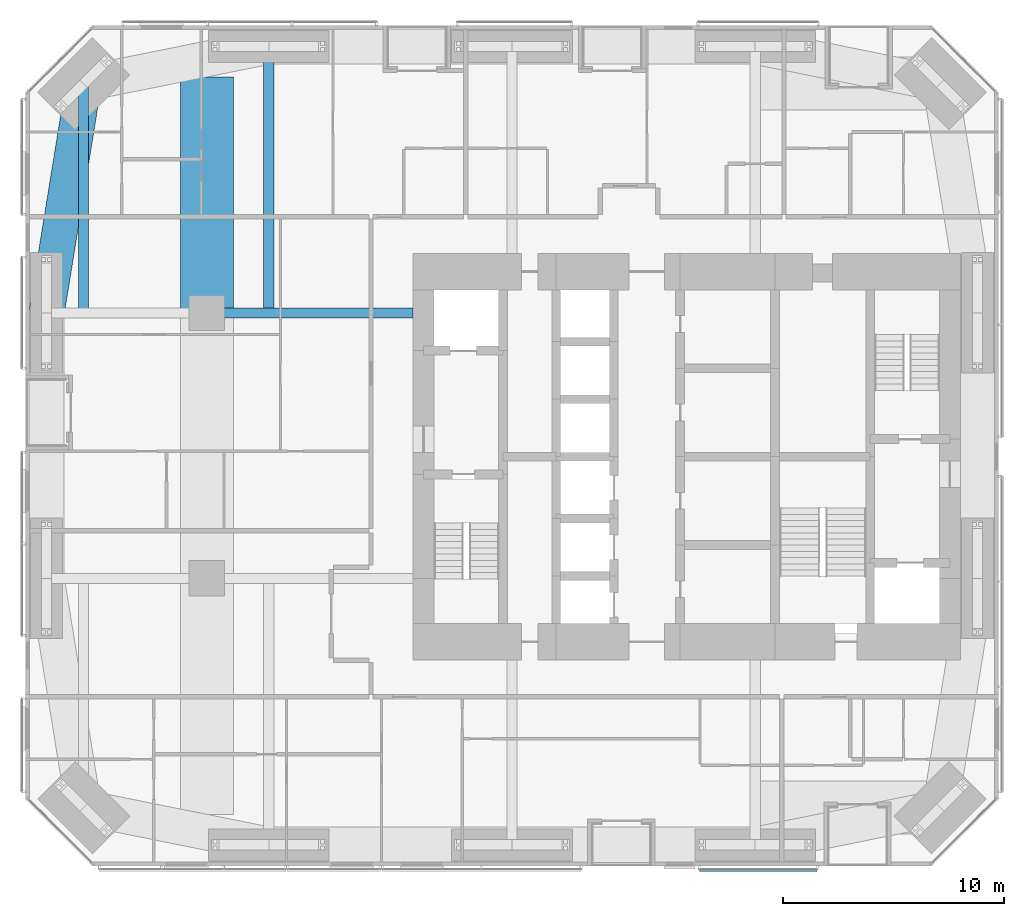
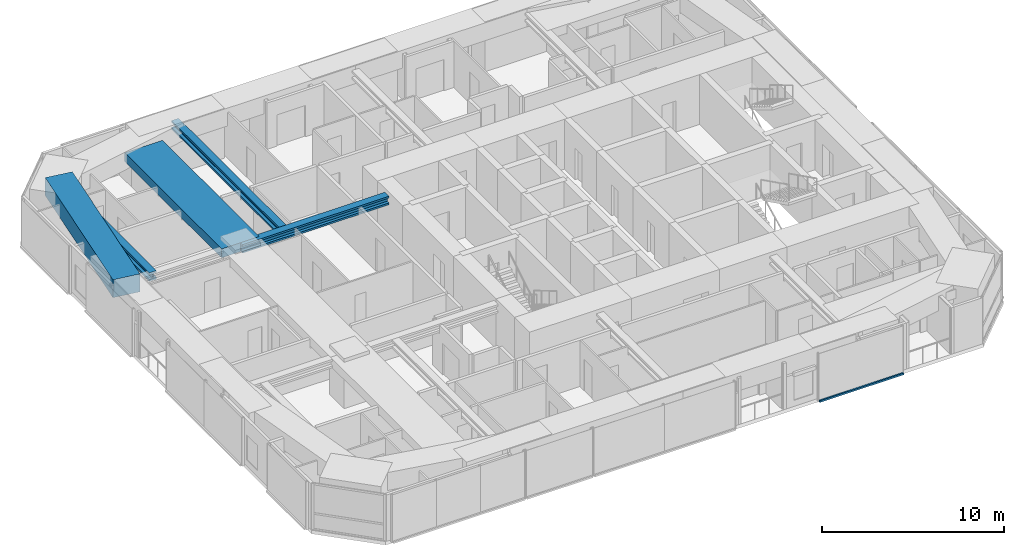
# One storey, part 8 of 24: 5 beams, 1 member, 1 element without a shape of its own.
"""IFC4 building model written with IfcOpenShell, lengths in metres."""

from ifc_helpers import new_model, si_unit, direction, frame, origin, origin_2d, place, context, subcontext, project, spatial, rectangle, i_section, extrude, material, material_profile, profile_set, type_object, element, aggregate, save


model = new_model("IFC4")

# Units and contexts
model_context = context("Model", 3, precision=1e-05, world=origin(), true_north=direction((0.0, 1.0)))
body_context = subcontext(model_context, "Body", "Model", "MODEL_VIEW")
ifc_project = project(units=[si_unit("LENGTHUNIT", "METRE"), si_unit("AREAUNIT", "SQUARE_METRE"), si_unit("VOLUMEUNIT", "CUBIC_METRE"), si_unit("PLANEANGLEUNIT", "RADIAN"), si_unit("MASSUNIT", "GRAM", prefix="KILO")], contexts=[model_context])

# Site, building, storey
site_placement = place(None, origin())
site = spatial("IfcSite", under=ifc_project, at=site_placement, CompositionType="ELEMENT")
building_placement = place(site_placement, origin())
building = spatial("IfcBuilding", under=site, at=building_placement, Name="Jalousie Tower", CompositionType="ELEMENT")
storey_placement = place(building_placement, frame((0.0, 0.0, 44.449951171875)))
storey = spatial("IfcBuildingStorey", under=building, at=storey_placement, Name="L11", CompositionType="ELEMENT", Elevation=44.449951171875)

# Beams
ifc_material_1 = material(Name="Steel ASTM A992 Grade 50", Category="steel")
ifc_material_profile_1 = material_profile(ifc_material_1, i_section(OverallWidth=0.45458984375, OverallDepth=0.569091796875, WebThickness=0.077880859375, FlangeThickness=0.124755859375, at=origin_2d()), Name="W14X730")
ifc_profile_set_1 = profile_set([ifc_material_profile_1], Name="Steel ASTM A992 Grade 50")
beam_type_1 = type_object("IfcBeamType", Name="LEAN COLLECTOR W14X730", PredefinedType="BEAM", material=ifc_profile_set_1)
beam_1_placement = place(storey_placement, frame((10.199951171875, 25.0, 2.825439453125), z_axis=(1.0, 0.0, 0.0), x_axis=(0.0, 1.0, 0.0)))
element("IfcBeam", 1, at=beam_1_placement, inside=storey, type_object=beam_type_1, Name="Lean collector under L12", PredefinedType="BEAM", context=body_context, shape_type="SweptSolid", body=[
    extrude(i_section(OverallWidth=0.45458984375, OverallDepth=0.569091796875, WebThickness=0.077880859375, FlangeThickness=0.124755859375, at=origin_2d()), origin(), (0.0, 0.0, 1.0), 9.324951171875),
])
beam_2_placement = place(storey_placement, frame((4.63134765625, 35.36865234375, 2.825439453125), z_axis=(0.0, -1.0, 0.0), x_axis=(1.0, 0.0, 0.0)))
element("IfcBeam", 2, at=beam_2_placement, inside=storey, type_object=beam_type_1, Name="Lean collector under L12", PredefinedType="BEAM", context=body_context, shape_type="SweptSolid", body=[
    extrude(i_section(OverallWidth=0.45458984375, OverallDepth=0.569091796875, WebThickness=0.077880859375, FlangeThickness=0.124755859375, at=origin_2d()), origin(), (0.0, 0.0, 1.0), 10.36865234375),
])
beam_3_placement = place(storey_placement, frame((13.0, 37.050048828125, 2.825439453125), z_axis=(0.0, -1.0, 0.0), x_axis=(1.0, 0.0, 0.0)))
element("IfcBeam", 3, at=beam_3_placement, inside=storey, type_object=beam_type_1, Name="Lean collector under L12", PredefinedType="BEAM", context=body_context, shape_type="SweptSolid", body=[
    extrude(i_section(OverallWidth=0.45458984375, OverallDepth=0.569091796875, WebThickness=0.077880859375, FlangeThickness=0.124755859375, at=origin_2d()), origin(), (0.0, 0.0, 1.0), 12.050048828125),
])
ifc_material_2 = material(Name="Concrete f'c 40 MPa", Category="concrete")
ifc_material_profile_2 = material_profile(ifc_material_2, rectangle(XDim=1.60009765625, YDim=1.199951171875, at=origin_2d()), Name="RC 1600x1200")
ifc_profile_set_2 = profile_set([ifc_material_profile_2], Name="Concrete f'c 40 MPa")
beam_type_2 = type_object("IfcBeamType", Name="RC BEAM 1600x1200", PredefinedType="BEAM", material=ifc_profile_set_2)
beam_4_placement = place(storey_placement, frame((4.63134765625, 35.36865234375, 2.75), z_axis=(-0.160070546476, -0.987105577003, 0.0), x_axis=(0.987105577003, -0.160070546476, 0.0)))
element("IfcBeam", 4, at=beam_4_placement, inside=storey, type_object=beam_type_2, Name="Edge band beam 12-13 under L12", PredefinedType="BEAM", context=body_context, shape_type="SweptSolid", body=[
    extrude(rectangle(XDim=1.60009765625, YDim=1.199951171875, at=origin_2d()), origin(), (0.0, 0.0, 1.0), 10.504150390625),
])
ifc_material_3 = material(Name="Concrete f'c 40 MPa", Category="concrete")
ifc_material_profile_3 = material_profile(ifc_material_3, rectangle(XDim=2.39990234375, YDim=0.60009765625, at=origin_2d()), Name="RC 2400x600")
ifc_profile_set_3 = profile_set([ifc_material_profile_3], Name="Concrete f'c 40 MPa")
beam_type_3 = type_object("IfcBeamType", Name="RC BEAM 2400x600", PredefinedType="BEAM", material=ifc_profile_set_3)
beam_5_placement = place(storey_placement, frame((10.199951171875, 25.0, 2.81005859375), z_axis=(0.0, 1.0, 0.0), x_axis=(-1.0, 0.0, 0.0)))
element("IfcBeam", 5, at=beam_5_placement, inside=storey, type_object=beam_type_3, Name="Floor band beam under L12", PredefinedType="BEAM", context=body_context, shape_type="SweptSolid", body=[
    extrude(rectangle(XDim=2.39990234375, YDim=0.60009765625, at=origin_2d()), origin(), (0.0, 0.0, 1.0), 10.67138671875),
])

# Curtain wall, member
ifc_material_4 = material(Name="Perforated aluminium sheet", Category="aluminium")
curtain_wall_type = type_object("IfcCurtainWallType", Name="SOLAR SCREEN SS-1", PredefinedType="USERDEFINED", material=ifc_material_4)
curtain_wall_placement = place(storey_placement, origin())
curtain_wall = element("IfcCurtainWall", 6, at=curtain_wall_placement, inside=storey, type_object=curtain_wall_type, Name="Solar screen L11", ObjectType="SOLAR SCREEN SS-1", PredefinedType="USERDEFINED")
ifc_material_5 = material(Name="Extruded aluminium screen rail", Category="aluminium")
ifc_material_profile_4 = material_profile(ifc_material_5, rectangle(XDim=0.1015625, YDim=0.1201171875, at=origin_2d()), Name="RAIL 102x120")
ifc_profile_set_4 = profile_set([ifc_material_profile_4], Name="Extruded aluminium screen rail")
member_type = type_object("IfcMemberType", Name="SOLAR SCREEN SS-1 TRANSOM", PredefinedType="USERDEFINED", material=ifc_profile_set_4)
member_placement = place(storey_placement, frame((32.4677734375, -0.1982421875, -0.06005859375), z_axis=(1.0, 0.0, 0.0), x_axis=(0.0, 1.0, 0.0)))
member = element("IfcMember", 7, at=member_placement, type_object=member_type, Name="SS1 rail", ObjectType="TRANSOM", PredefinedType="USERDEFINED", context=body_context, shape_type="SweptSolid", body=[
    extrude(rectangle(XDim=0.1015625, YDim=0.1201171875, at=origin_2d()), origin(), (0.0, 0.0, 1.0), 5.332275390625),
])
aggregate(curtain_wall, [member])

save(model, "model.ifc")
